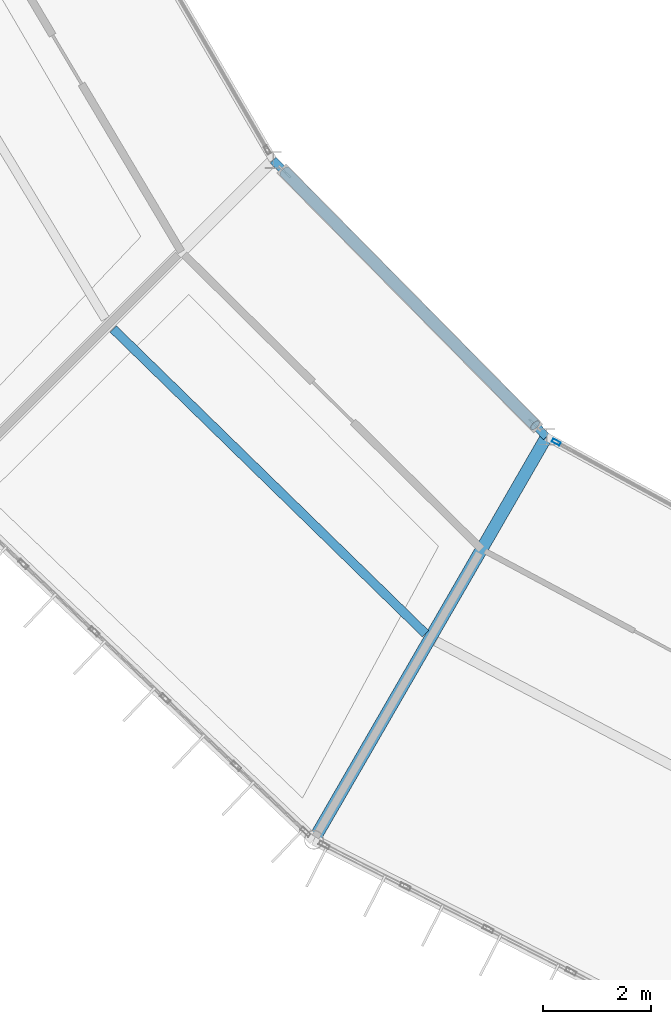
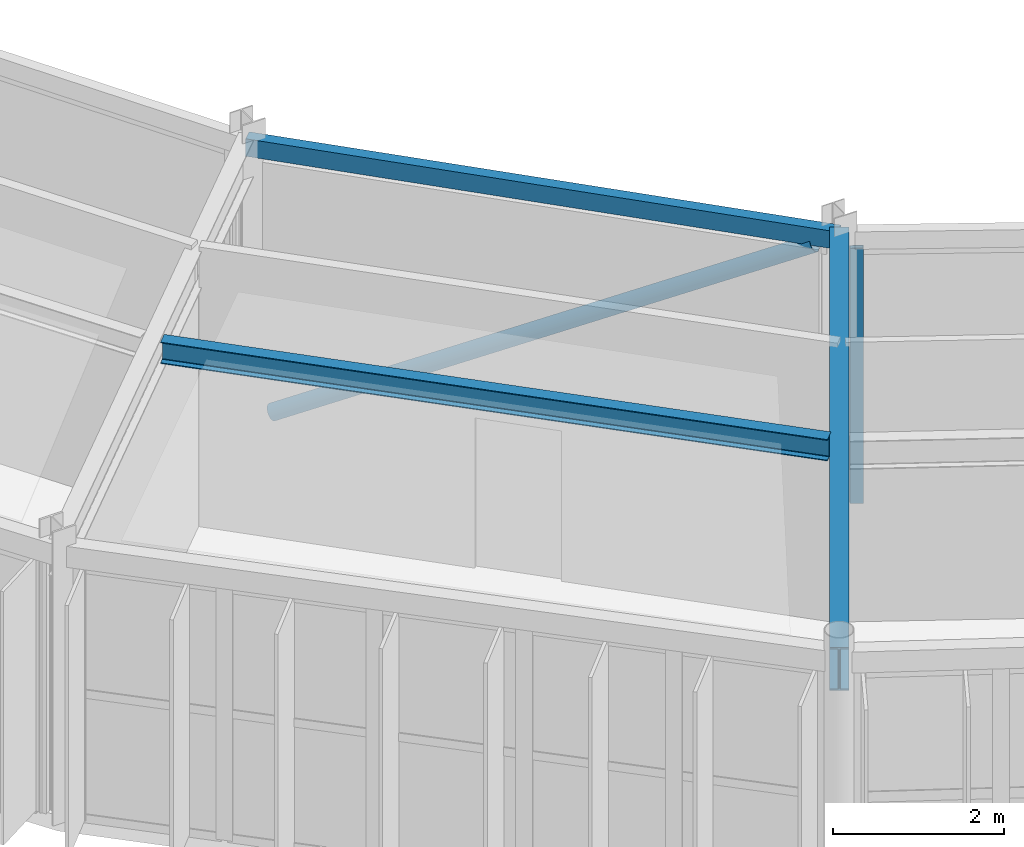
# One storey, part 29 of 147: 3 beams, 2 members, 1 element without a shape of its own.
"""IFC4 building model written with IfcOpenShell, lengths in metres."""

from ifc_helpers import new_model, si_unit, direction, frame, origin, origin_2d, place, context, subcontext, project, spatial, hollow_rectangle, hollow_circle, i_section, extrude, material, material_profile, profile_set, type_object, element, aggregate, save


model = new_model("IFC4")

# Units and contexts
model_context = context("Model", 3, precision=1e-05, world=origin(), true_north=direction((0.0, 1.0)))
body_context = subcontext(model_context, "Body", "Model", "MODEL_VIEW")
ifc_project = project(units=[si_unit("LENGTHUNIT", "METRE"), si_unit("AREAUNIT", "SQUARE_METRE"), si_unit("VOLUMEUNIT", "CUBIC_METRE"), si_unit("PLANEANGLEUNIT", "RADIAN"), si_unit("MASSUNIT", "GRAM", prefix="KILO")], contexts=[model_context])

# Site, building, storey
site_placement = place(None, origin())
site = spatial("IfcSite", under=ifc_project, at=site_placement, CompositionType="ELEMENT")
building_placement = place(site_placement, origin())
building = spatial("IfcBuilding", under=site, at=building_placement, Name="Karori Crest Natural Sciences Institute", CompositionType="ELEMENT")
storey_placement = place(building_placement, frame((0.0, 0.0, 9.10009765625)))
storey = spatial("IfcBuildingStorey", under=building, at=storey_placement, Name="L02", CompositionType="ELEMENT", Elevation=9.10009765625)

# Beams
ifc_material_1 = material(Name="Structural steel AS/NZS 3679.1 Grade 350", Category="steel")
ifc_material_profile_1 = material_profile(ifc_material_1, i_section(OverallWidth=0.22900390625, OverallDepth=0.612060546875, WebThickness=0.011962890625, FlangeThickness=0.01953125, FilletRadius=0.013916015625, at=origin_2d()), Name="610UB125")
ifc_profile_set_1 = profile_set([ifc_material_profile_1], Name="Structural steel AS/NZS 3679.1 Grade 350")
beam_type_1 = type_object("IfcBeamType", Name="BT-04", PredefinedType="BEAM", material=ifc_profile_set_1)
beam_1_placement = place(storey_placement, frame((54.199951171875, 22.013916015625, 3.6337890625), z_axis=(-0.500007509209, -0.866021068297, 0.0), x_axis=(0.866021068297, -0.500007509209, 0.0)))
element("IfcBeam", 1, at=beam_1_placement, inside=storey, type_object=beam_type_1, Name="Beam B-0332", PredefinedType="BEAM", context=body_context, shape_type="SweptSolid", body=[
    extrude(i_section(OverallWidth=0.22900390625, OverallDepth=0.612060546875, WebThickness=0.011962890625, FlangeThickness=0.01953125, FilletRadius=0.013916015625, at=origin_2d()), origin(), (0.0, 0.0, 1.0), 8.599853515625),
])
ifc_material_profile_2 = material_profile(ifc_material_1, i_section(OverallWidth=0.166015625, OverallDepth=0.306884765625, WebThickness=0.006591796875, FlangeThickness=0.01171875, FilletRadius=0.010986328125, at=origin_2d()), Name="310UB46.2")
ifc_profile_set_2 = profile_set([ifc_material_profile_2], Name="Structural steel AS/NZS 3679.1 Grade 350")
beam_type_2 = type_object("IfcBeamType", Name="BT-09", PredefinedType="BEAM", material=ifc_profile_set_2)
beam_2_placement = place(storey_placement, frame((46.19189453125, 24.0068359375, 3.786376953125), z_axis=(0.715681193625, -0.698427110794, 0.0), x_axis=(0.698427110794, 0.715681193625, 0.0)))
element("IfcBeam", 2, at=beam_2_placement, inside=storey, type_object=beam_type_2, Name="Beam B-0329", PredefinedType="BEAM", context=body_context, shape_type="SweptSolid", body=[
    extrude(i_section(OverallWidth=0.166015625, OverallDepth=0.306884765625, WebThickness=0.006591796875, FlangeThickness=0.01171875, FilletRadius=0.010986328125, at=origin_2d()), origin(), (0.0, 0.0, 1.0), 8.0654296875),
])
ifc_material_2 = material(Name="Hollow structural steel AS/NZS 1163 Grade C350", Category="steel")
ifc_material_profile_3 = material_profile(ifc_material_2, hollow_rectangle(XDim=0.14990234375, YDim=0.25, WallThickness=0.009033203125, at=origin_2d()), Name="RHS250x150x9")
ifc_profile_set_3 = profile_set([ifc_material_profile_3], Name="Hollow structural steel AS/NZS 1163 Grade C350")
beam_type_3 = type_object("IfcBeamType", Name="BT-16", PredefinedType="SPANDREL", material=ifc_profile_set_3)
beam_3_placement = place(storey_placement, frame((49.146484375, 27.131103515625, 3.789794921875), z_axis=(0.70266285879, -0.711522948946, 0.0), x_axis=(0.711522948946, 0.70266285879, 0.0)))
element("IfcBeam", 3, at=beam_3_placement, inside=storey, type_object=beam_type_3, Name="Beam B-0327", PredefinedType="SPANDREL", context=body_context, shape_type="SweptSolid", body=[
    extrude(hollow_rectangle(XDim=0.14990234375, YDim=0.25, WallThickness=0.009033203125, at=origin_2d()), origin(), (0.0, 0.0, 1.0), 7.19189453125),
])

# Curtain wall, member
ifc_material_3 = material(Name="Anodised architectural aluminium 6063-T6", Category="aluminium")
curtain_wall_type = type_object("IfcCurtainWallType", Name="CWT-12", PredefinedType="NOTDEFINED", material=ifc_material_3)
curtain_wall_placement = place(storey_placement, origin())
curtain_wall = element("IfcCurtainWall", 4, at=curtain_wall_placement, inside=storey, type_object=curtain_wall_type, Name="Curtain wall CW-0089", PredefinedType="NOTDEFINED")
ifc_material_profile_4 = material_profile(ifc_material_3, hollow_rectangle(XDim=0.06494140625, YDim=0.159912109375, WallThickness=0.00390625, at=origin_2d()), Name="CWM160x65x4")
ifc_profile_set_4 = profile_set([ifc_material_profile_4], Name="Anodised architectural aluminium 6063-T6")
member_type_1 = type_object("IfcMemberType", Name="CWM-01", PredefinedType="MULLION", material=ifc_profile_set_4)
member_1_placement = place(storey_placement, frame((54.379150390625, 21.916015625, 0.0), z_axis=(0.0, 0.0, 1.0), x_axis=(0.479643389875, 0.877463514084, 0.0)))
member_1 = element("IfcMember", 5, at=member_1_placement, type_object=member_type_1, Name="CW-0089 mullion 1", PredefinedType="MULLION", context=body_context, shape_type="SweptSolid", body=[
    extrude(hollow_rectangle(XDim=0.06494140625, YDim=0.159912109375, WallThickness=0.00390625, at=origin_2d()), origin(), (0.0, 0.0, 1.0), 3.64990234375),
])
aggregate(curtain_wall, [member_1])

# Member
ifc_material_profile_5 = material_profile(ifc_material_2, hollow_circle(Radius=0.109619140625, WallThickness=0.00830078125, at=origin_2d()), Name="CHS219.1x8.2")
ifc_profile_set_5 = profile_set([ifc_material_profile_5], Name="Hollow structural steel AS/NZS 1163 Grade C350")
member_type_2 = type_object("IfcMemberType", Name="MT-02", PredefinedType="BRACE", material=ifc_profile_set_5)
member_2_placement = place(storey_placement, frame((49.357421875, 26.917724609375, 0.010009765625), z_axis=(0.615119484546, -0.62286845971, 0.483386906763), x_axis=(0.711518857686, 0.702667001614, 0.0)))
element("IfcMember", 6, at=member_2_placement, inside=storey, type_object=member_type_2, Name="Diagonal Brace M-0015", PredefinedType="BRACE", context=body_context, shape_type="SweptSolid", body=[
    extrude(hollow_circle(Radius=0.109619140625, WallThickness=0.00830078125, at=origin_2d()), origin(), (0.0, 0.0, 1.0), 7.530029296875),
])

save(model, "model.ifc")
